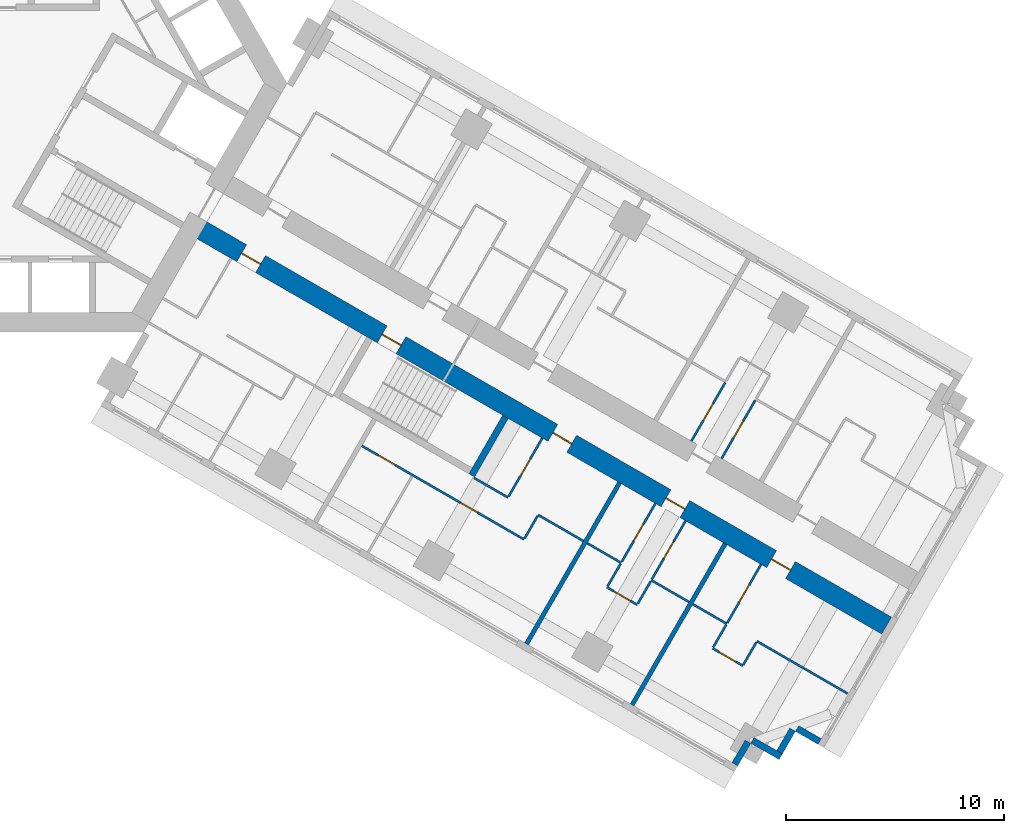
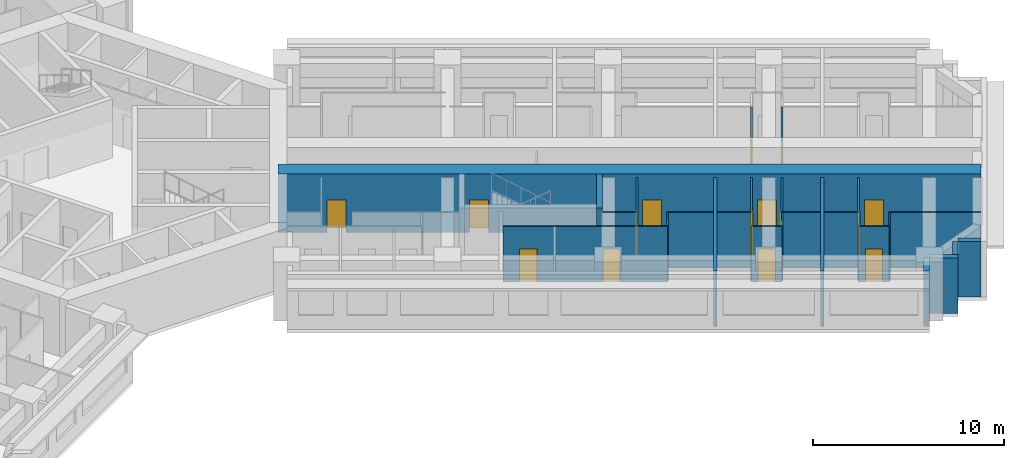
# One storey, part 11 of 16: 28 walls, 15 doors, 15 openings.
"""IFC4 building model written with IfcOpenShell, lengths in metres."""

from ifc_helpers import new_model, si_unit, direction, frame, frame_2d, origin, place, context, subcontext, project, spatial, rectangle, extrude, material, layer, layer_set, type_object, element, fill, save


model = new_model("IFC4")

# Units and contexts
model_context = context("Model", 3, precision=1e-05, world=origin(), true_north=direction((0.0, 1.0)))
body_context = subcontext(model_context, "Body", "Model", "MODEL_VIEW")
ifc_project = project(units=[si_unit("LENGTHUNIT", "METRE"), si_unit("AREAUNIT", "SQUARE_METRE"), si_unit("VOLUMEUNIT", "CUBIC_METRE"), si_unit("PLANEANGLEUNIT", "RADIAN"), si_unit("MASSUNIT", "GRAM", prefix="KILO")], contexts=[model_context])

# Site, building, storey
site_placement = place(None, origin())
site = spatial("IfcSite", under=ifc_project, at=site_placement, CompositionType="ELEMENT")
building_placement = place(site_placement, origin())
building = spatial("IfcBuilding", under=site, at=building_placement, Name="Impinga Residences", CompositionType="ELEMENT")
storey_placement = place(building_placement, frame((0.0, 0.0, 52.25)))
storey = spatial("IfcBuildingStorey", under=building, at=storey_placement, Name="L12", CompositionType="ELEMENT", Elevation=52.25)

# Wall, openings, doors
ifc_material_1 = material(Name="Concrete C70/85", Category="concrete")
ifc_layer_1 = layer(ifc_material_1, 0.89990234375)
ifc_layer_set_1 = layer_set([ifc_layer_1], Name="Concrete C70/85")
wall_type_1 = type_object("IfcWallType", Name="BW1 corridor buttress wall, L05 to L22 900", PredefinedType="SHEAR", material=ifc_layer_set_1)
wall_1_placement = place(storey_placement, frame((8.910400390625, -6.530029296875, 0.0), z_axis=(0.0, 0.0, 1.0), x_axis=(0.866025284237, -0.500000207062, 0.0)))
wall_1 = element("IfcWall", 1, at=wall_1_placement, inside=storey, type_object=wall_type_1, Name="Corridor wall BW1 ED L12", PredefinedType="SHEAR", context=body_context, shape_type="SweptSolid", body=[
    extrude(rectangle(XDim=36.75, YDim=0.89990234375, at=frame_2d((18.375, 0.0))), origin(), (0.0, 0.0, 1.0), 3.75),
])
opening_1_placement = place(wall_1_placement, frame((10.0, 0.0, 0.0)))
opening_1 = element("IfcOpeningElement", 2, at=opening_1_placement, cuts=wall_1, Name="Opening D5", PredefinedType="OPENING", context=body_context, shape_type="SweptSolid", body=[
    extrude(rectangle(XDim=1.0, YDim=2.10009765625, at=frame_2d((0.5, 1.050048828125))), frame((0.0, 0.4599609375, 0.0), z_axis=(0.0, -1.0, 0.0), x_axis=(1.0, 0.0, 0.0)), (0.0, 0.0, 1.0), 0.919921875),
])
opening_2_placement = place(wall_1_placement, frame((2.550048828125, 0.0, 0.0)))
opening_2 = element("IfcOpeningElement", 3, at=opening_2_placement, cuts=wall_1, Name="Opening D1", PredefinedType="OPENING", context=body_context, shape_type="SweptSolid", body=[
    extrude(rectangle(XDim=1.0, YDim=2.10009765625, at=frame_2d((0.5, 1.050048828125))), frame((0.0, 0.4599609375, 0.0), z_axis=(0.0, -1.0, 0.0), x_axis=(1.0, 0.0, 0.0)), (0.0, 0.0, 1.0), 0.919921875),
])
opening_3_placement = place(wall_1_placement, frame((19.050048828125, 0.0, 0.0)))
opening_3 = element("IfcOpeningElement", 4, at=opening_3_placement, cuts=wall_1, Name="Opening D1", PredefinedType="OPENING", context=body_context, shape_type="SweptSolid", body=[
    extrude(rectangle(XDim=1.0, YDim=2.10009765625, at=frame_2d((0.5, 1.050048828125))), frame((0.0, 0.4599609375, 0.0), z_axis=(0.0, -1.0, 0.0), x_axis=(1.0, 0.0, 0.0)), (0.0, 0.0, 1.0), 0.919921875),
])
opening_4_placement = place(wall_1_placement, frame((25.050048828125, 0.0, 0.0)))
opening_4 = element("IfcOpeningElement", 5, at=opening_4_placement, cuts=wall_1, Name="Opening D1", PredefinedType="OPENING", context=body_context, shape_type="SweptSolid", body=[
    extrude(rectangle(XDim=1.0, YDim=2.10009765625, at=frame_2d((0.5, 1.050048828125))), frame((0.0, 0.4599609375, 0.0), z_axis=(0.0, -1.0, 0.0), x_axis=(1.0, 0.0, 0.0)), (0.0, 0.0, 1.0), 0.919921875),
])
opening_5_placement = place(wall_1_placement, frame((30.64990234375, 0.0, 0.0)))
opening_5 = element("IfcOpeningElement", 6, at=opening_5_placement, cuts=wall_1, Name="Opening D1", PredefinedType="OPENING", context=body_context, shape_type="SweptSolid", body=[
    extrude(rectangle(XDim=1.0, YDim=2.10009765625, at=frame_2d((0.5, 1.050048828125))), frame((0.0, 0.4599609375, 0.0), z_axis=(0.0, -1.0, 0.0), x_axis=(1.0, 0.0, 0.0)), (0.0, 0.0, 1.0), 0.919921875),
])
ifc_material_2 = material(Name="Timber door set", Category="wood")
door_type_1 = type_object("IfcDoorType", Name="D1 apartment entrance door 1000x2100", OperationType="SINGLE_SWING_LEFT", PredefinedType="DOOR", material=ifc_material_2)
door_1_placement = place(opening_2_placement, origin())
door_1 = element("IfcDoor", 7, at=door_1_placement, inside=storey, type_object=door_type_1, Name="Apartment L12-EF1 entrance", OperationType="SINGLE_SWING_LEFT", OverallHeight=2.10009765625, OverallWidth=1.0, PredefinedType="DOOR", context=body_context, shape_type="SweptSolid", body=[
    extrude(rectangle(XDim=1.0, YDim=2.10009765625, at=frame_2d((0.5, 1.050048828125))), frame((0.0, 0.02490234375, 0.0), z_axis=(0.0, -1.0, 0.0), x_axis=(1.0, 0.0, 0.0)), (0.0, 0.0, 1.0), 0.050048828125),
])
fill(opening_2, door_1)
door_2_placement = place(opening_3_placement, origin())
door_2 = element("IfcDoor", 8, at=door_2_placement, inside=storey, type_object=door_type_1, Name="Apartment L12-EF2 entrance", OperationType="SINGLE_SWING_RIGHT", OverallHeight=2.10009765625, OverallWidth=1.0, PredefinedType="DOOR", context=body_context, shape_type="SweptSolid", body=[
    extrude(rectangle(XDim=1.0, YDim=2.10009765625, at=frame_2d((0.5, 1.050048828125))), frame((0.0, 0.02490234375, 0.0), z_axis=(0.0, -1.0, 0.0), x_axis=(1.0, 0.0, 0.0)), (0.0, 0.0, 1.0), 0.050048828125),
])
fill(opening_3, door_2)
door_3_placement = place(opening_4_placement, origin())
door_3 = element("IfcDoor", 9, at=door_3_placement, inside=storey, type_object=door_type_1, Name="Apartment L12-EF3 entrance", OperationType="SINGLE_SWING_RIGHT", OverallHeight=2.10009765625, OverallWidth=1.0, PredefinedType="DOOR", context=body_context, shape_type="SweptSolid", body=[
    extrude(rectangle(XDim=1.0, YDim=2.10009765625, at=frame_2d((0.5, 1.050048828125))), frame((0.0, 0.02490234375, 0.0), z_axis=(0.0, -1.0, 0.0), x_axis=(1.0, 0.0, 0.0)), (0.0, 0.0, 1.0), 0.050048828125),
])
fill(opening_4, door_3)
door_4_placement = place(opening_5_placement, origin())
door_4 = element("IfcDoor", 10, at=door_4_placement, inside=storey, type_object=door_type_1, Name="Apartment L12-EF4 entrance", OperationType="SINGLE_SWING_RIGHT", OverallHeight=2.10009765625, OverallWidth=1.0, PredefinedType="DOOR", context=body_context, shape_type="SweptSolid", body=[
    extrude(rectangle(XDim=1.0, YDim=2.10009765625, at=frame_2d((0.5, 1.050048828125))), frame((0.0, 0.02490234375, 0.0), z_axis=(0.0, -1.0, 0.0), x_axis=(1.0, 0.0, 0.0)), (0.0, 0.0, 1.0), 0.050048828125),
])
fill(opening_5, door_4)
door_type_2 = type_object("IfcDoorType", Name="D5 stair door 1000x2100", OperationType="SINGLE_SWING_LEFT", PredefinedType="DOOR", material=ifc_material_2)
door_5_placement = place(opening_1_placement, origin())
door_5 = element("IfcDoor", 11, at=door_5_placement, inside=storey, type_object=door_type_2, Name="Wing stair door E", OperationType="SINGLE_SWING_LEFT", OverallHeight=2.10009765625, OverallWidth=1.0, PredefinedType="DOOR", context=body_context, shape_type="SweptSolid", body=[
    extrude(rectangle(XDim=1.0, YDim=2.10009765625, at=frame_2d((0.5, 1.050048828125))), frame((0.0, 0.02490234375, 0.0), z_axis=(0.0, -1.0, 0.0), x_axis=(1.0, 0.0, 0.0)), (0.0, 0.0, 1.0), 0.050048828125),
])
fill(opening_1, door_5)

# Walls
ifc_material_3 = material(Name="Terracotta rainscreen on blockwork", Category="masonry")
ifc_layer_2 = layer(ifc_material_3, 0.300048828125)
ifc_layer_set_2 = layer_set([ifc_layer_2], Name="EW1 external wall, terracotta rainscreen on blockwork 300")
wall_type_2 = type_object("IfcWallType", Name="EW1 external wall, terracotta rainscreen on blockwork 300", PredefinedType="SOLIDWALL", material=ifc_layer_set_2)
wall_2_placement = place(storey_placement, frame((37.66162109375, -30.23095703125, 0.0), z_axis=(0.0, 0.0, 1.0), x_axis=(-0.866059708757, 0.499940577336, 0.0)))
element("IfcWall", 12, at=wall_2_placement, inside=storey, type_object=wall_type_2, Name="External wall EW1 L12", PredefinedType="SOLIDWALL", context=body_context, shape_type="SweptSolid", body=[
    extrude(rectangle(XDim=1.195068359375, YDim=0.300048828125, at=frame_2d((0.59765625, 0.0))), origin(), (0.0, 0.0, 1.0), 3.530029296875),
])
wall_3_placement = place(storey_placement, frame((36.41748046875, -29.68603515625, 0.0), z_axis=(0.0, 0.0, 1.0), x_axis=(-0.499969057507, -0.866043267704, 0.0)))
element("IfcWall", 13, at=wall_3_placement, inside=storey, type_object=wall_type_2, Name="External wall EW1 L12", PredefinedType="SOLIDWALL", context=body_context, shape_type="SweptSolid", body=[
    extrude(rectangle(XDim=1.19970703125, YDim=0.300048828125, at=frame_2d((0.599853515625, 0.0))), origin(), (0.0, 0.0, 1.0), 3.530029296875),
])
wall_4_placement = place(storey_placement, frame((35.87255859375, -30.93017578125, 0.0), z_axis=(0.0, 0.0, 1.0), x_axis=(-0.866031096941, 0.499990139034, 0.0)))
element("IfcWall", 14, at=wall_4_placement, inside=storey, type_object=wall_type_2, Name="External wall EW1 L12", PredefinedType="SOLIDWALL", context=body_context, shape_type="SweptSolid", body=[
    extrude(rectangle(XDim=1.5, YDim=0.300048828125, at=frame_2d((0.75, 0.0))), origin(), (0.0, 0.0, 1.0), 3.530029296875),
])
wall_5_placement = place(storey_placement, frame((34.365966796875, -30.2392578125, 0.0), z_axis=(0.0, 0.0, 1.0), x_axis=(-0.499940577336, -0.866059708757, 0.0)))
element("IfcWall", 15, at=wall_5_placement, inside=storey, type_object=wall_type_2, Name="External wall EW1 L12", PredefinedType="SOLIDWALL", context=body_context, shape_type="SweptSolid", body=[
    extrude(rectangle(XDim=1.195068359375, YDim=0.300048828125, at=frame_2d((0.59765625, 0.0))), origin(), (0.0, 0.0, 1.0), 3.530029296875),
])

# Wall, opening, door
ifc_material_4 = material(Name="Gypsum board on steel studs", Category="steel")
ifc_layer_3 = layer(ifc_material_4, 0.10009765625)
ifc_layer_set_3 = layer_set([ifc_layer_3], Name="Gypsum board on steel studs")
wall_type_3 = type_object("IfcWallType", Name="IP1 partition 100", PredefinedType="PARTITIONING", material=ifc_layer_set_3)
wall_6_placement = place(storey_placement, frame((31.76953125, -16.436767578125, 0.0), z_axis=(0.0, 0.0, 1.0), x_axis=(0.499967891604, 0.866043940782, 0.0)))
wall_6 = element("IfcWall", 16, at=wall_6_placement, inside=storey, type_object=wall_type_3, Name="Partition L12-EA4:IB1", PredefinedType="PARTITIONING", context=body_context, shape_type="SweptSolid", body=[
    extrude(rectangle(XDim=3.099853515625, YDim=0.10009765625, at=frame_2d((1.5498046875, 0.0))), origin(), (0.0, 0.0, 1.0), 3.530029296875),
])
opening_6_placement = place(wall_6_placement, frame((1.10009765625, 0.0, 0.0)))
opening_6 = element("IfcOpeningElement", 17, at=opening_6_placement, cuts=wall_6, Name="Opening D2", PredefinedType="OPENING", context=body_context, shape_type="SweptSolid", body=[
    extrude(rectangle(XDim=0.89990234375, YDim=2.10009765625, at=frame_2d((0.449951171875, 1.050048828125))), frame((0.0, 0.06005859375, 0.0), z_axis=(0.0, -1.0, 0.0), x_axis=(1.0, 0.0, 0.0)), (0.0, 0.0, 1.0), 0.1201171875),
])
door_type_3 = type_object("IfcDoorType", Name="D2 internal door 900x2100", OperationType="SINGLE_SWING_LEFT", PredefinedType="DOOR", material=ifc_material_2)
door_6_placement = place(opening_6_placement, origin())
door_6 = element("IfcDoor", 18, at=door_6_placement, inside=storey, type_object=door_type_3, Name="Apartment L12-EA4 bathroom door", OperationType="SINGLE_SWING_LEFT", OverallHeight=2.10009765625, OverallWidth=0.89990234375, PredefinedType="DOOR", context=body_context, shape_type="SweptSolid", body=[
    extrude(rectangle(XDim=0.89990234375, YDim=2.10009765625, at=frame_2d((0.449951171875, 1.050048828125))), frame((0.0, 0.02490234375, 0.0), z_axis=(0.0, -1.0, 0.0), x_axis=(1.0, 0.0, 0.0)), (0.0, 0.0, 1.0), 0.050048828125),
])
fill(opening_6, door_6)

wall_7_placement = place(storey_placement, frame((33.155029296875, -17.23681640625, 0.0), z_axis=(0.0, 0.0, 1.0), x_axis=(0.500026960575, 0.86600983753, 0.0)))
wall_7 = element("IfcWall", 19, at=wall_7_placement, inside=storey, type_object=wall_type_3, Name="Partition L12-EA4:IB2", PredefinedType="PARTITIONING", context=body_context, shape_type="SweptSolid", body=[
    extrude(rectangle(XDim=3.099853515625, YDim=0.10009765625, at=frame_2d((1.5498046875, 0.0))), origin(), (0.0, 0.0, 1.0), 3.530029296875),
])
opening_7_placement = place(wall_7_placement, frame((1.10009765625, 0.0, 0.0)))
opening_7 = element("IfcOpeningElement", 20, at=opening_7_placement, cuts=wall_7, Name="Opening D2", PredefinedType="OPENING", context=body_context, shape_type="SweptSolid", body=[
    extrude(rectangle(XDim=0.89990234375, YDim=2.10009765625, at=frame_2d((0.449951171875, 1.050048828125))), frame((0.0, 0.06005859375, 0.0), z_axis=(0.0, -1.0, 0.0), x_axis=(1.0, 0.0, 0.0)), (0.0, 0.0, 1.0), 0.1201171875),
])
door_7_placement = place(opening_7_placement, origin())
door_7 = element("IfcDoor", 21, at=door_7_placement, inside=storey, type_object=door_type_3, Name="Apartment L12-EA4 WC door", OperationType="SINGLE_SWING_LEFT", OverallHeight=2.10009765625, OverallWidth=0.89990234375, PredefinedType="DOOR", context=body_context, shape_type="SweptSolid", body=[
    extrude(rectangle(XDim=0.89990234375, YDim=2.10009765625, at=frame_2d((0.449951171875, 1.050048828125))), frame((0.0, 0.02490234375, 0.0), z_axis=(0.0, -1.0, 0.0), x_axis=(1.0, 0.0, 0.0)), (0.0, 0.0, 1.0), 0.050048828125),
])
fill(opening_7, door_7)

# Walls
wall_8_placement = place(storey_placement, frame((21.789306640625, -18.122802734375, 0.0), z_axis=(0.0, 0.0, 1.0), x_axis=(0.866047807691, -0.499961193289, 0.0)))
element("IfcWall", 22, at=wall_8_placement, inside=storey, type_object=wall_type_3, Name="Partition L12-EF2:DIV0", PredefinedType="PARTITIONING", context=body_context, shape_type="SweptSolid", body=[
    extrude(rectangle(XDim=1.800048828125, YDim=0.10009765625, at=frame_2d((0.89990234375, 0.0))), origin(), (0.0, 0.0, 1.0), 3.530029296875),
])
wall_9_placement = place(storey_placement, frame((24.73388671875, -19.82275390625, 0.0), z_axis=(0.0, 0.0, 1.0), x_axis=(0.866024647952, -0.500001309137, 0.0)))
element("IfcWall", 23, at=wall_9_placement, inside=storey, type_object=wall_type_3, Name="Partition L12-EF2:DIV1", PredefinedType="PARTITIONING", context=body_context, shape_type="SweptSolid", body=[
    extrude(rectangle(XDim=2.39990234375, YDim=0.10009765625, at=frame_2d((1.199951171875, 0.0))), origin(), (0.0, 0.0, 1.0), 3.530029296875),
])

# Wall, openings, doors
wall_10_placement = place(storey_placement, frame((16.635986328125, -16.6484375, 0.0), z_axis=(0.0, 0.0, 1.0), x_axis=(0.866028165386, -0.499995216735, 0.0)))
wall_10 = element("IfcWall", 24, at=wall_10_placement, inside=storey, type_object=wall_type_3, Name="Partition L12-EF2:STRIP", PredefinedType="PARTITIONING", context=body_context, shape_type="SweptSolid", body=[
    extrude(rectangle(XDim=8.60009765625, YDim=0.10009765625, at=frame_2d((4.300048828125, 0.0))), origin(), (0.0, 0.0, 1.0), 3.530029296875),
])
opening_8_placement = place(wall_10_placement, frame((0.875, 0.0, 0.0)))
opening_8 = element("IfcOpeningElement", 25, at=opening_8_placement, cuts=wall_10, Name="Opening D2", PredefinedType="OPENING", context=body_context, shape_type="SweptSolid", body=[
    extrude(rectangle(XDim=0.89990234375, YDim=2.10009765625, at=frame_2d((0.449951171875, 1.050048828125))), frame((0.0, 0.06005859375, 0.0), z_axis=(0.0, -1.0, 0.0), x_axis=(1.0, 0.0, 0.0)), (0.0, 0.0, 1.0), 0.1201171875),
])
opening_9_placement = place(wall_10_placement, frame((5.22509765625, 0.0, 0.0)))
opening_9 = element("IfcOpeningElement", 26, at=opening_9_placement, cuts=wall_10, Name="Opening D2", PredefinedType="OPENING", context=body_context, shape_type="SweptSolid", body=[
    extrude(rectangle(XDim=0.89990234375, YDim=2.10009765625, at=frame_2d((0.449951171875, 1.050048828125))), frame((0.0, 0.06005859375, 0.0), z_axis=(0.0, -1.0, 0.0), x_axis=(1.0, 0.0, 0.0)), (0.0, 0.0, 1.0), 0.1201171875),
])
door_8_placement = place(opening_8_placement, origin())
door_8 = element("IfcDoor", 27, at=door_8_placement, inside=storey, type_object=door_type_3, Name="Apartment L12-EF2 room door", OperationType="SINGLE_SWING_LEFT", OverallHeight=2.10009765625, OverallWidth=0.89990234375, PredefinedType="DOOR", context=body_context, shape_type="SweptSolid", body=[
    extrude(rectangle(XDim=0.89990234375, YDim=2.10009765625, at=frame_2d((0.449951171875, 1.050048828125))), frame((0.0, 0.02490234375, 0.0), z_axis=(0.0, -1.0, 0.0), x_axis=(1.0, 0.0, 0.0)), (0.0, 0.0, 1.0), 0.050048828125),
])
fill(opening_8, door_8)
door_9_placement = place(opening_9_placement, origin())
door_9 = element("IfcDoor", 28, at=door_9_placement, inside=storey, type_object=door_type_3, Name="Apartment L12-EF2 room door", OperationType="SINGLE_SWING_RIGHT", OverallHeight=2.10009765625, OverallWidth=0.89990234375, PredefinedType="DOOR", context=body_context, shape_type="SweptSolid", body=[
    extrude(rectangle(XDim=0.89990234375, YDim=2.10009765625, at=frame_2d((0.449951171875, 1.050048828125))), frame((0.0, 0.02490234375, 0.0), z_axis=(0.0, -1.0, 0.0), x_axis=(1.0, 0.0, 0.0)), (0.0, 0.0, 1.0), 0.050048828125),
])
fill(opening_9, door_9)

# Wall
wall_11_placement = place(storey_placement, frame((24.708984375, -19.865966796875, 0.0), z_axis=(0.0, 0.0, 1.0), x_axis=(-0.500033551112, -0.866006032174, 0.0)))
element("IfcWall", 29, at=wall_11_placement, inside=storey, type_object=wall_type_3, Name="Partition L12-EF2:SE1", PredefinedType="PARTITIONING", context=body_context, shape_type="SweptSolid", body=[
    extrude(rectangle(XDim=1.2001953125, YDim=0.10009765625, at=frame_2d((0.60009765625, 0.0))), origin(), (0.0, 0.0, 1.0), 3.530029296875),
])

# Wall, opening, door
wall_12_placement = place(storey_placement, frame((24.92333984375, -16.294677734375, 0.0), z_axis=(0.0, 0.0, 1.0), x_axis=(-0.49999285859, -0.86602952684, 0.0)))
wall_12 = element("IfcWall", 30, at=wall_12_placement, inside=storey, type_object=wall_type_3, Name="Partition L12-EF2:IB1", PredefinedType="PARTITIONING", context=body_context, shape_type="SweptSolid", body=[
    extrude(rectangle(XDim=3.10009765625, YDim=0.10009765625, at=frame_2d((1.550048828125, 0.0))), origin(), (0.0, 0.0, 1.0), 3.530029296875),
])
opening_10_placement = place(wall_12_placement, frame((1.10009765625, 0.0, 0.0)))
opening_10 = element("IfcOpeningElement", 31, at=opening_10_placement, cuts=wall_12, Name="Opening D2", PredefinedType="OPENING", context=body_context, shape_type="SweptSolid", body=[
    extrude(rectangle(XDim=0.89990234375, YDim=2.10009765625, at=frame_2d((0.449951171875, 1.050048828125))), frame((0.0, 0.06005859375, 0.0), z_axis=(0.0, -1.0, 0.0), x_axis=(1.0, 0.0, 0.0)), (0.0, 0.0, 1.0), 0.1201171875),
])
door_10_placement = place(opening_10_placement, origin())
door_10 = element("IfcDoor", 32, at=door_10_placement, inside=storey, type_object=door_type_3, Name="Apartment L12-EF2 bathroom door", OperationType="SINGLE_SWING_LEFT", OverallHeight=2.10009765625, OverallWidth=0.89990234375, PredefinedType="DOOR", context=body_context, shape_type="SweptSolid", body=[
    extrude(rectangle(XDim=0.89990234375, YDim=2.10009765625, at=frame_2d((0.449951171875, 1.050048828125))), frame((0.0, 0.02490234375, 0.0), z_axis=(0.0, -1.0, 0.0), x_axis=(1.0, 0.0, 0.0)), (0.0, 0.0, 1.0), 0.050048828125),
])
fill(opening_10, door_10)

# Walls
wall_13_placement = place(storey_placement, frame((26.985595703125, -21.122802734375, 0.0), z_axis=(0.0, 0.0, 1.0), x_axis=(0.866047807691, -0.499961193289, 0.0)))
element("IfcWall", 33, at=wall_13_placement, inside=storey, type_object=wall_type_3, Name="Partition L12-EF3:DIV0", PredefinedType="PARTITIONING", context=body_context, shape_type="SweptSolid", body=[
    extrude(rectangle(XDim=1.800048828125, YDim=0.10009765625, at=frame_2d((0.89990234375, 0.0))), origin(), (0.0, 0.0, 1.0), 3.530029296875),
])
wall_14_placement = place(storey_placement, frame((29.93017578125, -22.82275390625, 0.0), z_axis=(0.0, 0.0, 1.0), x_axis=(0.866010750942, -0.50002537861, 0.0)))
element("IfcWall", 34, at=wall_14_placement, inside=storey, type_object=wall_type_3, Name="Partition L12-EF3:DIV1", PredefinedType="PARTITIONING", context=body_context, shape_type="SweptSolid", body=[
    extrude(rectangle(XDim=2.0, YDim=0.10009765625, at=frame_2d((1.0, 0.0))), origin(), (0.0, 0.0, 1.0), 3.530029296875),
])

# Wall, opening, door
wall_15_placement = place(storey_placement, frame((27.89453125, -23.1484375, 0.0), z_axis=(0.0, 0.0, 1.0), x_axis=(0.865989903783, -0.500061482766, 0.0)))
wall_15 = element("IfcWall", 35, at=wall_15_placement, inside=storey, type_object=wall_type_3, Name="Partition L12-EF3:STRIP", PredefinedType="PARTITIONING", context=body_context, shape_type="SweptSolid", body=[
    extrude(rectangle(XDim=1.599853515625, YDim=0.10009765625, at=frame_2d((0.7998046875, 0.0))), origin(), (0.0, 0.0, 1.0), 3.530029296875),
])
opening_11_placement = place(wall_15_placement, frame((0.35009765625, 0.0, 0.0)))
opening_11 = element("IfcOpeningElement", 36, at=opening_11_placement, cuts=wall_15, Name="Opening D2", PredefinedType="OPENING", context=body_context, shape_type="SweptSolid", body=[
    extrude(rectangle(XDim=0.89990234375, YDim=2.10009765625, at=frame_2d((0.449951171875, 1.050048828125))), frame((0.0, 0.06005859375, 0.0), z_axis=(0.0, -1.0, 0.0), x_axis=(1.0, 0.0, 0.0)), (0.0, 0.0, 1.0), 0.1201171875),
])
door_11_placement = place(opening_11_placement, origin())
door_11 = element("IfcDoor", 37, at=door_11_placement, inside=storey, type_object=door_type_3, Name="Apartment L12-EF3 room door", OperationType="SINGLE_SWING_LEFT", OverallHeight=2.10009765625, OverallWidth=0.89990234375, PredefinedType="DOOR", context=body_context, shape_type="SweptSolid", body=[
    extrude(rectangle(XDim=0.89990234375, YDim=2.10009765625, at=frame_2d((0.449951171875, 1.050048828125))), frame((0.0, 0.02490234375, 0.0), z_axis=(0.0, -1.0, 0.0), x_axis=(1.0, 0.0, 0.0)), (0.0, 0.0, 1.0), 0.050048828125),
])
fill(opening_11, door_11)

# Walls
wall_16_placement = place(storey_placement, frame((28.51953125, -22.06591796875, 0.0), z_axis=(0.0, 0.0, 1.0), x_axis=(-0.500033551112, -0.866006032174, 0.0)))
element("IfcWall", 38, at=wall_16_placement, inside=storey, type_object=wall_type_3, Name="Partition L12-EF3:SE0", PredefinedType="PARTITIONING", context=body_context, shape_type="SweptSolid", body=[
    extrude(rectangle(XDim=1.2001953125, YDim=0.10009765625, at=frame_2d((0.60009765625, 0.0))), origin(), (0.0, 0.0, 1.0), 3.530029296875),
])
wall_17_placement = place(storey_placement, frame((29.905029296875, -22.865966796875, 0.0), z_axis=(0.0, 0.0, 1.0), x_axis=(-0.499880961361, -0.866094119867, 0.0)))
element("IfcWall", 39, at=wall_17_placement, inside=storey, type_object=wall_type_3, Name="Partition L12-EF3:SE1", PredefinedType="PARTITIONING", context=body_context, shape_type="SweptSolid", body=[
    extrude(rectangle(XDim=1.199951171875, YDim=0.10009765625, at=frame_2d((0.60009765625, 0.0))), origin(), (0.0, 0.0, 1.0), 3.530029296875),
])

# Wall, opening, door
wall_18_placement = place(storey_placement, frame((30.119384765625, -19.294677734375, 0.0), z_axis=(0.0, 0.0, 1.0), x_axis=(-0.49999285859, -0.86602952684, 0.0)))
wall_18 = element("IfcWall", 40, at=wall_18_placement, inside=storey, type_object=wall_type_3, Name="Partition L12-EF3:IB1", PredefinedType="PARTITIONING", context=body_context, shape_type="SweptSolid", body=[
    extrude(rectangle(XDim=3.10009765625, YDim=0.10009765625, at=frame_2d((1.550048828125, 0.0))), origin(), (0.0, 0.0, 1.0), 3.530029296875),
])
opening_12_placement = place(wall_18_placement, frame((1.10009765625, 0.0, 0.0)))
opening_12 = element("IfcOpeningElement", 41, at=opening_12_placement, cuts=wall_18, Name="Opening D2", PredefinedType="OPENING", context=body_context, shape_type="SweptSolid", body=[
    extrude(rectangle(XDim=0.89990234375, YDim=2.10009765625, at=frame_2d((0.449951171875, 1.050048828125))), frame((0.0, 0.06005859375, 0.0), z_axis=(0.0, -1.0, 0.0), x_axis=(1.0, 0.0, 0.0)), (0.0, 0.0, 1.0), 0.1201171875),
])
door_12_placement = place(opening_12_placement, origin())
door_12 = element("IfcDoor", 42, at=door_12_placement, inside=storey, type_object=door_type_3, Name="Apartment L12-EF3 bathroom door", OperationType="SINGLE_SWING_LEFT", OverallHeight=2.10009765625, OverallWidth=0.89990234375, PredefinedType="DOOR", context=body_context, shape_type="SweptSolid", body=[
    extrude(rectangle(XDim=0.89990234375, YDim=2.10009765625, at=frame_2d((0.449951171875, 1.050048828125))), frame((0.0, 0.02490234375, 0.0), z_axis=(0.0, -1.0, 0.0), x_axis=(1.0, 0.0, 0.0)), (0.0, 0.0, 1.0), 0.050048828125),
])
fill(opening_12, door_12)

wall_19_placement = place(storey_placement, frame((31.505126953125, -20.0947265625, 0.0), z_axis=(0.0, 0.0, 1.0), x_axis=(-0.500026960575, -0.86600983753, 0.0)))
wall_19 = element("IfcWall", 43, at=wall_19_placement, inside=storey, type_object=wall_type_3, Name="Partition L12-EF3:IB2", PredefinedType="PARTITIONING", context=body_context, shape_type="SweptSolid", body=[
    extrude(rectangle(XDim=3.099853515625, YDim=0.10009765625, at=frame_2d((1.5498046875, 0.0))), origin(), (0.0, 0.0, 1.0), 3.530029296875),
])
opening_13_placement = place(wall_19_placement, frame((1.10009765625, 0.0, 0.0)))
opening_13 = element("IfcOpeningElement", 44, at=opening_13_placement, cuts=wall_19, Name="Opening D2", PredefinedType="OPENING", context=body_context, shape_type="SweptSolid", body=[
    extrude(rectangle(XDim=0.89990234375, YDim=2.10009765625, at=frame_2d((0.449951171875, 1.050048828125))), frame((0.0, 0.06005859375, 0.0), z_axis=(0.0, -1.0, 0.0), x_axis=(1.0, 0.0, 0.0)), (0.0, 0.0, 1.0), 0.1201171875),
])
door_13_placement = place(opening_13_placement, origin())
door_13 = element("IfcDoor", 45, at=door_13_placement, inside=storey, type_object=door_type_3, Name="Apartment L12-EF3 WC door", OperationType="SINGLE_SWING_LEFT", OverallHeight=2.10009765625, OverallWidth=0.89990234375, PredefinedType="DOOR", context=body_context, shape_type="SweptSolid", body=[
    extrude(rectangle(XDim=0.89990234375, YDim=2.10009765625, at=frame_2d((0.449951171875, 1.050048828125))), frame((0.0, 0.02490234375, 0.0), z_axis=(0.0, -1.0, 0.0), x_axis=(1.0, 0.0, 0.0)), (0.0, 0.0, 1.0), 0.050048828125),
])
fill(opening_13, door_13)

# Walls
wall_20_placement = place(storey_placement, frame((31.835205078125, -23.922607421875, 0.0), z_axis=(0.0, 0.0, 1.0), x_axis=(0.865989075817, -0.500062916607, 0.0)))
element("IfcWall", 46, at=wall_20_placement, inside=storey, type_object=wall_type_3, Name="Partition L12-EF4:DIV0", PredefinedType="PARTITIONING", context=body_context, shape_type="SweptSolid", body=[
    extrude(rectangle(XDim=1.800048828125, YDim=0.10009765625, at=frame_2d((0.89990234375, 0.0))), origin(), (0.0, 0.0, 1.0), 3.530029296875),
])
wall_21_placement = place(storey_placement, frame((34.77978515625, -25.622802734375, 0.0), z_axis=(0.0, 0.0, 1.0), x_axis=(0.866037363387, -0.499979284789, 0.0)))
element("IfcWall", 47, at=wall_21_placement, inside=storey, type_object=wall_type_3, Name="Partition L12-EF4:DIV1", PredefinedType="PARTITIONING", context=body_context, shape_type="SweptSolid", body=[
    extrude(rectangle(XDim=4.800048828125, YDim=0.10009765625, at=frame_2d((2.39990234375, 0.0))), origin(), (0.0, 0.0, 1.0), 3.530029296875),
])

# Wall, opening, door
wall_22_placement = place(storey_placement, frame((32.744140625, -25.948486328125, 0.0), z_axis=(0.0, 0.0, 1.0), x_axis=(0.866028054938, -0.499995408039, 0.0)))
wall_22 = element("IfcWall", 48, at=wall_22_placement, inside=storey, type_object=wall_type_3, Name="Partition L12-EF4:STRIP", PredefinedType="PARTITIONING", context=body_context, shape_type="SweptSolid", body=[
    extrude(rectangle(XDim=1.60009765625, YDim=0.10009765625, at=frame_2d((0.800048828125, 0.0))), origin(), (0.0, 0.0, 1.0), 3.530029296875),
])
opening_14_placement = place(wall_22_placement, frame((0.35009765625, 0.0, 0.0)))
opening_14 = element("IfcOpeningElement", 49, at=opening_14_placement, cuts=wall_22, Name="Opening D2", PredefinedType="OPENING", context=body_context, shape_type="SweptSolid", body=[
    extrude(rectangle(XDim=0.89990234375, YDim=2.10009765625, at=frame_2d((0.449951171875, 1.050048828125))), frame((0.0, 0.06005859375, 0.0), z_axis=(0.0, -1.0, 0.0), x_axis=(1.0, 0.0, 0.0)), (0.0, 0.0, 1.0), 0.1201171875),
])
door_14_placement = place(opening_14_placement, origin())
door_14 = element("IfcDoor", 50, at=door_14_placement, inside=storey, type_object=door_type_3, Name="Apartment L12-EF4 room door", OperationType="SINGLE_SWING_LEFT", OverallHeight=2.10009765625, OverallWidth=0.89990234375, PredefinedType="DOOR", context=body_context, shape_type="SweptSolid", body=[
    extrude(rectangle(XDim=0.89990234375, YDim=2.10009765625, at=frame_2d((0.449951171875, 1.050048828125))), frame((0.0, 0.02490234375, 0.0), z_axis=(0.0, -1.0, 0.0), x_axis=(1.0, 0.0, 0.0)), (0.0, 0.0, 1.0), 0.050048828125),
])
fill(opening_14, door_14)

# Walls
for number, where, z_axis, x_axis, name in (
    (51, (33.369140625, -24.865966796875, 0.0), (0.0, 0.0, 1.0), (-0.500033551112, -0.866006032174, 0.0), "Partition L12-EF4:SE0"),
    (52, (34.7548828125, -25.666015625, 0.0), (0.0, 0.0, 1.0), (-0.500033551112, -0.866006032174, 0.0), "Partition L12-EF4:SE1"),
):
    element("IfcWall", number, at=place(storey_placement, frame(where, z_axis=z_axis, x_axis=x_axis)), inside=storey, type_object=wall_type_3, Name=name, PredefinedType="PARTITIONING", context=body_context, shape_type="SweptSolid", body=[
        extrude(rectangle(XDim=1.2001953125, YDim=0.10009765625, at=frame_2d((0.60009765625, 0.0))), origin(), (0.0, 0.0, 1.0), 3.530029296875),
    ])

# Wall, opening, door
wall_23_placement = place(storey_placement, frame((34.96923828125, -22.0947265625, 0.0), z_axis=(0.0, 0.0, 1.0), x_axis=(-0.500026960575, -0.86600983753, 0.0)))
wall_23 = element("IfcWall", 53, at=wall_23_placement, inside=storey, type_object=wall_type_3, Name="Partition L12-EF4:IB1", PredefinedType="PARTITIONING", context=body_context, shape_type="SweptSolid", body=[
    extrude(rectangle(XDim=3.099853515625, YDim=0.10009765625, at=frame_2d((1.5498046875, 0.0))), origin(), (0.0, 0.0, 1.0), 3.530029296875),
])
opening_15_placement = place(wall_23_placement, frame((1.10009765625, 0.0, 0.0)))
opening_15 = element("IfcOpeningElement", 54, at=opening_15_placement, cuts=wall_23, Name="Opening D2", PredefinedType="OPENING", context=body_context, shape_type="SweptSolid", body=[
    extrude(rectangle(XDim=0.89990234375, YDim=2.10009765625, at=frame_2d((0.449951171875, 1.050048828125))), frame((0.0, 0.06005859375, 0.0), z_axis=(0.0, -1.0, 0.0), x_axis=(1.0, 0.0, 0.0)), (0.0, 0.0, 1.0), 0.1201171875),
])
door_15_placement = place(opening_15_placement, origin())
door_15 = element("IfcDoor", 55, at=door_15_placement, inside=storey, type_object=door_type_3, Name="Apartment L12-EF4 bathroom door", OperationType="SINGLE_SWING_LEFT", OverallHeight=2.10009765625, OverallWidth=0.89990234375, PredefinedType="DOOR", context=body_context, shape_type="SweptSolid", body=[
    extrude(rectangle(XDim=0.89990234375, YDim=2.10009765625, at=frame_2d((0.449951171875, 1.050048828125))), frame((0.0, 0.02490234375, 0.0), z_axis=(0.0, -1.0, 0.0), x_axis=(1.0, 0.0, 0.0)), (0.0, 0.0, 1.0), 0.050048828125),
])
fill(opening_15, door_15)

# Walls
ifc_material_5 = material(Name="Concrete blockwork", Category="masonry")
ifc_layer_4 = layer(ifc_material_5, 0.199951171875)
ifc_layer_set_4 = layer_set([ifc_layer_4], Name="PW1 party wall between apartments 200")
wall_type_4 = type_object("IfcWallType", Name="PW1 party wall between apartments 200", PredefinedType="SOLIDWALL", material=ifc_layer_set_4)
for number, where, z_axis, x_axis, name in (
    (56, (28.473876953125, -18.3447265625, 0.0), (0.0, 0.0, 1.0), (-0.499990227581, -0.86603104582, 0.0), "Party wall between apartments L12-EF2:PARTY"),
    (57, (33.32373046875, -21.144775390625, 0.0), (0.0, 0.0, 1.0), (-0.499990227581, -0.86603104582, 0.0), "Party wall between apartments L12-EF3:PARTY"),
):
    element("IfcWall", number, at=place(storey_placement, frame(where, z_axis=z_axis, x_axis=x_axis)), inside=storey, type_object=wall_type_4, Name=name, PredefinedType="SOLIDWALL", context=body_context, shape_type="SweptSolid", body=[
        extrude(rectangle(XDim=8.550048828125, YDim=0.199951171875, at=frame_2d((4.27490234375, 0.0))), origin(), (0.0, 0.0, 1.0), 3.530029296875),
    ])
ifc_material_6 = material(Name="Concrete C60/75", Category="concrete")
ifc_layer_5 = layer(ifc_material_6, 0.300048828125)
ifc_layer_set_5 = layer_set([ifc_layer_5], Name="Concrete C60/75")
wall_type_5 = type_object("IfcWallType", Name="SE1 wing stair enclosure wall 300", PredefinedType="SOLIDWALL", material=ifc_layer_set_5)
wall_24_placement = place(storey_placement, frame((23.234619140625, -15.31982421875, 0.0), z_axis=(0.0, 0.0, 1.0), x_axis=(-0.500026960575, -0.86600983753, 0.0)))
element("IfcWall", 58, at=wall_24_placement, inside=storey, type_object=wall_type_5, Name="Stair enclosure wall SE1 E END1 L12", PredefinedType="SOLIDWALL", context=body_context, shape_type="SweptSolid", body=[
    extrude(rectangle(XDim=3.099853515625, YDim=0.300048828125, at=frame_2d((1.5498046875, 0.0))), origin(), (0.0, 0.0, 1.0), 3.75),
])

save(model, "model.ifc")
